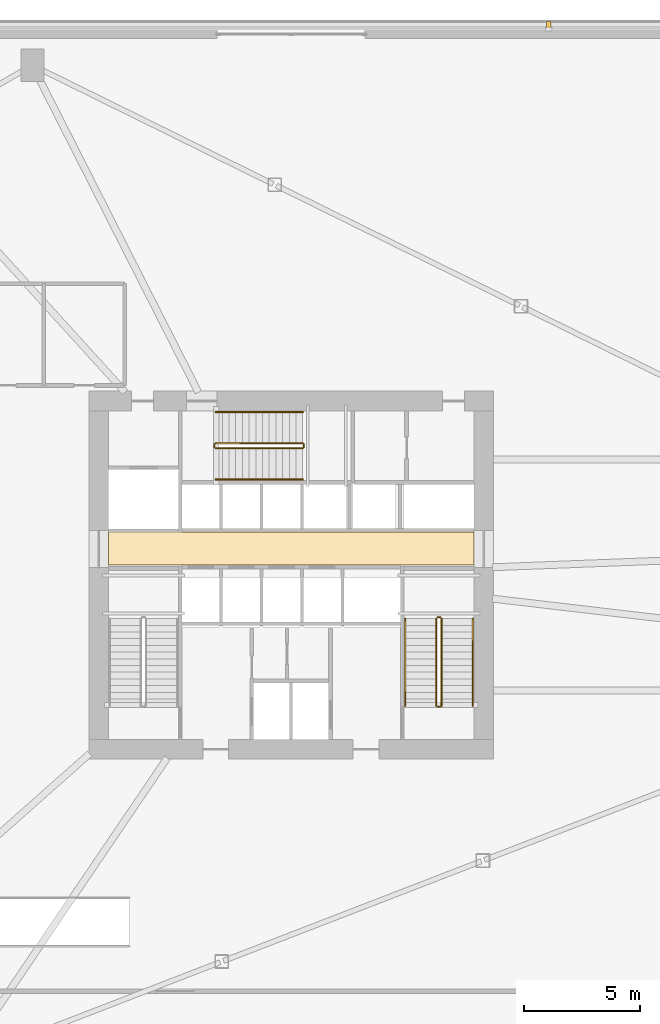
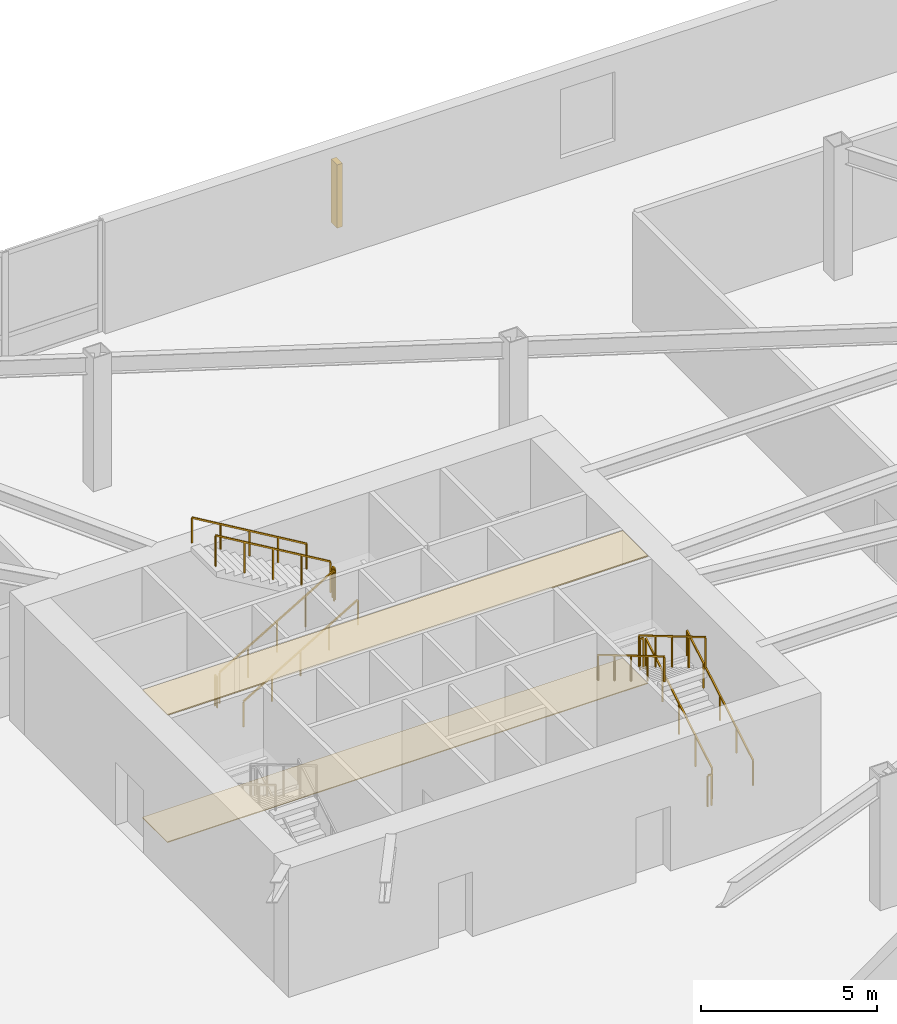
# One storey, part 13 of 14: 12 railings, 2 coverings, 1 shading device.
"""IFC4 building model written with IfcOpenShell, lengths in metres."""

from ifc_helpers import new_model, si_unit, direction, frame, origin, origin_2d, place, context, subcontext, project, spatial, polyline, rectangle, outline, extrude, source, transform, mapped, material, layer, layer_set, type_object, element, save


model = new_model("IFC4")

# Units and contexts
model_context = context("Model", 3, precision=1e-05, world=origin(), true_north=direction((0.0, 1.0)))
body_context = subcontext(model_context, "Body", "Model", "MODEL_VIEW")
ifc_project = project(units=[si_unit("LENGTHUNIT", "METRE"), si_unit("AREAUNIT", "SQUARE_METRE"), si_unit("VOLUMEUNIT", "CUBIC_METRE"), si_unit("PLANEANGLEUNIT", "RADIAN"), si_unit("MASSUNIT", "GRAM", prefix="KILO")], contexts=[model_context])

# Site, building, storey
site_placement = place(None, origin())
site = spatial("IfcSite", under=ifc_project, at=site_placement, CompositionType="ELEMENT")
building_placement = place(site_placement, origin())
building = spatial("IfcBuilding", under=site, at=building_placement, Name="Olszyna Solenne Hotel", CompositionType="ELEMENT")
storey_placement = place(building_placement, frame((0.0, 0.0, 5.39990234375)))
storey = spatial("IfcBuildingStorey", under=building, at=storey_placement, Name="L01", CompositionType="ELEMENT", Elevation=5.39990234375)

# Coverings
ifc_material_1 = material(Name="Mineral wool acoustic ceiling")
ifc_layer_1 = layer(ifc_material_1, 0.0400390625, Name="Mineral wool acoustic ceiling")
ifc_layer_set_1 = layer_set([ifc_layer_1], Name="Mineral wool acoustic ceiling")
covering_type_1 = type_object("IfcCoveringType", Name="CL-AC1", PredefinedType="CEILING", material=ifc_layer_set_1)
covering_1_placement = place(storey_placement, frame((0.0, 0.0, 4.420166015625)))
element("IfcCovering", 1, at=covering_1_placement, inside=storey, type_object=covering_type_1, Name="Lift lobby acoustic tile ceiling CL-L01-01", PredefinedType="CEILING", context=body_context, shape_type="SweptSolid", body=[
    extrude(outline(polyline([(30.10009765625, 27.030029296875), (45.89990234375, 27.030029296875), (45.89990234375, 28.4599609375), (30.10009765625, 28.4599609375), (30.10009765625, 27.030029296875)])), origin(), (0.0, 0.0, 1.0), 0.0400390625),
])
ifc_material_2 = material(Name="Ceramic floor tile")
ifc_layer_2 = layer(ifc_material_2, 0.030029296875, Name="Ceramic floor tile")
ifc_layer_set_2 = layer_set([ifc_layer_2], Name="Ceramic floor tile")
covering_type_2 = type_object("IfcCoveringType", Name="FL-TL1", PredefinedType="FLOORING", material=ifc_layer_set_2)
covering_2_placement = place(storey_placement, origin())
element("IfcCovering", 2, at=covering_2_placement, inside=storey, type_object=covering_type_2, Name="Lift lobby stoneware floor finish FLR-L01-01", PredefinedType="FLOORING", context=body_context, shape_type="SweptSolid", body=[
    extrude(outline(polyline([(30.10009765625, 27.030029296875), (45.89990234375, 27.030029296875), (45.89990234375, 28.4599609375), (30.10009765625, 28.4599609375), (30.10009765625, 27.030029296875)])), origin(), (0.0, 0.0, 1.0), 0.030029296875),
])

# Railings
ifc_material_3 = material(Name="Anodised bronze aluminium", Category="aluminium")
railing_type_1 = type_object("IfcRailingType", Name="GR-110", PredefinedType="BALUSTRADE", material=ifc_material_3)
railing_1_placement = place(storey_placement, frame((44.5, 20.949951171875, 0.171630859375)))
element("IfcRailing", 3, at=railing_1_placement, inside=storey, type_object=railing_type_1, Name="L01 ST2 stair guard 1", PredefinedType="BALUSTRADE", context=body_context, shape_type="SweptSolid", body=[
    extrude(rectangle(XDim=0.048095703125, YDim=0.048095703125, at=origin_2d()), frame((0.0, 0.0, 1.076171875), z_axis=(0.0, 0.860848830602, 0.508860777473), x_axis=(-1.0, 0.0, 0.0)), (0.0, 0.0, 1.0), 4.37939453125),
    extrude(rectangle(XDim=0.0419921875, YDim=0.0419921875, at=origin_2d()), origin(), (0.0, 0.0, 1.0), 1.052001953125),
    extrude(rectangle(XDim=0.0419921875, YDim=0.0419921875, at=origin_2d()), frame((0.0, 0.9423828125, 0.55712890625)), (0.0, 0.0, 1.0), 1.052001953125),
    extrude(rectangle(XDim=0.0419921875, YDim=0.0419921875, at=origin_2d()), frame((0.0, 1.885009765625, 1.1142578125)), (0.0, 0.0, 1.0), 1.052001953125),
    extrude(rectangle(XDim=0.0419921875, YDim=0.0419921875, at=origin_2d()), frame((0.0, 2.82763671875, 1.67138671875)), (0.0, 0.0, 1.0), 1.052001953125),
    extrude(rectangle(XDim=0.0419921875, YDim=0.0419921875, at=origin_2d()), frame((0.0, 3.77001953125, 2.228515625)), (0.0, 0.0, 1.0), 1.052001953125),
])
railing_2_placement = place(storey_placement, frame((44.449951171875, 24.77001953125, 2.400146484375)))
element("IfcRailing", 4, at=railing_2_placement, inside=storey, type_object=railing_type_1, Name="L01 ST2 stair guard 2", PredefinedType="BALUSTRADE", context=body_context, shape_type="SweptSolid", body=[
    extrude(rectangle(XDim=0.048095703125, YDim=0.048095703125, at=origin_2d()), frame((0.0, 0.0, 1.076171875), z_axis=(-1.0, 0.0, 0.0), x_axis=(0.0, -1.0, 0.0)), (0.0, 0.0, 1.0), 0.119873046875),
    extrude(rectangle(XDim=0.0419921875, YDim=0.0419921875, at=origin_2d()), origin(), (0.0, 0.0, 1.0), 1.052001953125),
    extrude(rectangle(XDim=0.0419921875, YDim=0.0419921875, at=origin_2d()), frame((-0.119873046875, 0.0, 0.0)), (0.0, 0.0, 1.0), 1.052001953125),
])
railing_3_placement = place(storey_placement, frame((44.280029296875, 24.719970703125, 2.571533203125)))
element("IfcRailing", 5, at=railing_3_placement, inside=storey, type_object=railing_type_1, Name="L01 ST2 stair guard 3", PredefinedType="BALUSTRADE", context=body_context, shape_type="SweptSolid", body=[
    extrude(rectangle(XDim=0.048095703125, YDim=0.048095703125, at=origin_2d()), frame((0.0, 0.0, 1.076171875), z_axis=(0.0, -0.860848830602, 0.508860777473), x_axis=(1.0, 0.0, 0.0)), (0.0, 0.0, 1.0), 4.37939453125),
    extrude(rectangle(XDim=0.0419921875, YDim=0.0419921875, at=origin_2d()), origin(), (0.0, 0.0, 1.0), 1.052001953125),
    extrude(rectangle(XDim=0.0419921875, YDim=0.0419921875, at=origin_2d()), frame((0.0, -0.9423828125, 0.55712890625)), (0.0, 0.0, 1.0), 1.052001953125),
    extrude(rectangle(XDim=0.0419921875, YDim=0.0419921875, at=origin_2d()), frame((0.0, -1.885009765625, 1.1142578125)), (0.0, 0.0, 1.0), 1.052001953125),
    extrude(rectangle(XDim=0.0419921875, YDim=0.0419921875, at=origin_2d()), frame((0.0, -2.82763671875, 1.67138671875)), (0.0, 0.0, 1.0), 1.052001953125),
    extrude(rectangle(XDim=0.0419921875, YDim=0.0419921875, at=origin_2d()), frame((0.0, -3.77001953125, 2.228515625)), (0.0, 0.0, 1.0), 1.052001953125),
])
railing_4_placement = place(storey_placement, frame((44.449951171875, 20.89990234375, 0.0)))
element("IfcRailing", 6, at=railing_4_placement, inside=storey, type_object=railing_type_1, Name="L01 ST2 stair guard 4", PredefinedType="BALUSTRADE", context=body_context, shape_type="SweptSolid", body=[
    extrude(rectangle(XDim=0.048095703125, YDim=0.048095703125, at=origin_2d()), frame((0.0, 0.0, 1.076171875), z_axis=(-1.0, 0.0, 0.0), x_axis=(0.0, -1.0, 0.0)), (0.0, 0.0, 1.0), 0.119873046875),
    extrude(rectangle(XDim=0.0419921875, YDim=0.0419921875, at=origin_2d()), origin(), (0.0, 0.0, 1.0), 1.052001953125),
    extrude(rectangle(XDim=0.0419921875, YDim=0.0419921875, at=origin_2d()), frame((-0.119873046875, 0.0, 0.0)), (0.0, 0.0, 1.0), 1.052001953125),
])
railing_5_placement = place(storey_placement, frame((34.72998046875, 32.080078125, 0.171630859375)))
element("IfcRailing", 7, at=railing_5_placement, inside=storey, type_object=railing_type_1, Name="L01 ST3 stair guard 1", PredefinedType="BALUSTRADE", context=body_context, shape_type="SweptSolid", body=[
    extrude(rectangle(XDim=0.048095703125, YDim=0.048095703125, at=origin_2d()), frame((0.0, 0.0, 1.076171875), z_axis=(0.860848830602, 0.0, 0.508860777473), x_axis=(0.0, 1.0, 0.0)), (0.0, 0.0, 1.0), 4.37939453125),
    extrude(rectangle(XDim=0.0419921875, YDim=0.0419921875, at=origin_2d()), origin(), (0.0, 0.0, 1.0), 1.052001953125),
    extrude(rectangle(XDim=0.0419921875, YDim=0.0419921875, at=origin_2d()), frame((0.9423828125, 0.0, 0.55712890625)), (0.0, 0.0, 1.0), 1.052001953125),
    extrude(rectangle(XDim=0.0419921875, YDim=0.0419921875, at=origin_2d()), frame((1.885009765625, 0.0, 1.1142578125)), (0.0, 0.0, 1.0), 1.052001953125),
    extrude(rectangle(XDim=0.0419921875, YDim=0.0419921875, at=origin_2d()), frame((2.82763671875, 0.0, 1.67138671875)), (0.0, 0.0, 1.0), 1.052001953125),
    extrude(rectangle(XDim=0.0419921875, YDim=0.0419921875, at=origin_2d()), frame((3.77001953125, 0.0, 2.228515625)), (0.0, 0.0, 1.0), 1.052001953125),
])
railing_6_placement = place(storey_placement, frame((38.550048828125, 32.1298828125, 2.400146484375)))
element("IfcRailing", 8, at=railing_6_placement, inside=storey, type_object=railing_type_1, Name="L01 ST3 stair guard 2", PredefinedType="BALUSTRADE", context=body_context, shape_type="SweptSolid", body=[
    extrude(rectangle(XDim=0.048095703125, YDim=0.048095703125, at=origin_2d()), frame((0.0, 0.0, 1.076171875), z_axis=(0.0, 1.0, 0.0), x_axis=(-1.0, 0.0, 0.0)), (0.0, 0.0, 1.0), 0.1201171875),
    extrude(rectangle(XDim=0.0419921875, YDim=0.0419921875, at=origin_2d()), origin(), (0.0, 0.0, 1.0), 1.052001953125),
    extrude(rectangle(XDim=0.0419921875, YDim=0.0419921875, at=origin_2d()), frame((0.0, 0.1201171875, 0.0)), (0.0, 0.0, 1.0), 1.052001953125),
])
railing_7_placement = place(storey_placement, frame((38.5, 32.300048828125, 2.571533203125)))
element("IfcRailing", 9, at=railing_7_placement, inside=storey, type_object=railing_type_1, Name="L01 ST3 stair guard 3", PredefinedType="BALUSTRADE", context=body_context, shape_type="SweptSolid", body=[
    extrude(rectangle(XDim=0.048095703125, YDim=0.048095703125, at=origin_2d()), frame((0.0, 0.0, 1.076171875), z_axis=(-0.860848830602, 0.0, 0.508860777473), x_axis=(0.0, -1.0, 0.0)), (0.0, 0.0, 1.0), 4.37939453125),
    extrude(rectangle(XDim=0.0419921875, YDim=0.0419921875, at=origin_2d()), origin(), (0.0, 0.0, 1.0), 1.052001953125),
    extrude(rectangle(XDim=0.0419921875, YDim=0.0419921875, at=origin_2d()), frame((-0.9423828125, 0.0, 0.55712890625)), (0.0, 0.0, 1.0), 1.052001953125),
    extrude(rectangle(XDim=0.0419921875, YDim=0.0419921875, at=origin_2d()), frame((-1.885009765625, 0.0, 1.1142578125)), (0.0, 0.0, 1.0), 1.052001953125),
    extrude(rectangle(XDim=0.0419921875, YDim=0.0419921875, at=origin_2d()), frame((-2.82763671875, 0.0, 1.67138671875)), (0.0, 0.0, 1.0), 1.052001953125),
    extrude(rectangle(XDim=0.0419921875, YDim=0.0419921875, at=origin_2d()), frame((-3.77001953125, 0.0, 2.228515625)), (0.0, 0.0, 1.0), 1.052001953125),
])
railing_8_placement = place(storey_placement, frame((34.679931640625, 32.1298828125, 0.0)))
element("IfcRailing", 10, at=railing_8_placement, inside=storey, type_object=railing_type_1, Name="L01 ST3 stair guard 4", PredefinedType="BALUSTRADE", context=body_context, shape_type="SweptSolid", body=[
    extrude(rectangle(XDim=0.048095703125, YDim=0.048095703125, at=origin_2d()), frame((0.0, 0.0, 1.076171875), z_axis=(0.0, 1.0, 0.0), x_axis=(-1.0, 0.0, 0.0)), (0.0, 0.0, 1.0), 0.1201171875),
    extrude(rectangle(XDim=0.0419921875, YDim=0.0419921875, at=origin_2d()), origin(), (0.0, 0.0, 1.0), 1.052001953125),
    extrude(rectangle(XDim=0.0419921875, YDim=0.0419921875, at=origin_2d()), frame((0.0, 0.1201171875, 0.0)), (0.0, 0.0, 1.0), 1.052001953125),
])
ifc_material_4 = material(Name="Steel S355J2", Category="steel")
railing_type_2 = type_object("IfcRailingType", Name="HR-090", PredefinedType="HANDRAIL", material=ifc_material_4)
railing_9_placement = place(storey_placement, frame((45.85009765625, 20.949951171875, 0.171630859375)))
element("IfcRailing", 11, at=railing_9_placement, inside=storey, type_object=railing_type_2, Name="L01 ST2 stair handrail 1", PredefinedType="HANDRAIL", context=body_context, shape_type="SweptSolid", body=[
    extrude(rectangle(XDim=0.048095703125, YDim=0.048095703125, at=origin_2d()), frame((0.0, 0.0, 0.8759765625), z_axis=(0.0, 0.860848830602, 0.508860777473), x_axis=(-1.0, 0.0, 0.0)), (0.0, 0.0, 1.0), 4.37939453125),
    extrude(rectangle(XDim=0.0419921875, YDim=0.0419921875, at=origin_2d()), origin(), (0.0, 0.0, 1.0), 0.851806640625),
    extrude(rectangle(XDim=0.0419921875, YDim=0.0419921875, at=origin_2d()), frame((0.0, 0.9423828125, 0.55712890625)), (0.0, 0.0, 1.0), 0.851806640625),
    extrude(rectangle(XDim=0.0419921875, YDim=0.0419921875, at=origin_2d()), frame((0.0, 1.885009765625, 1.1142578125)), (0.0, 0.0, 1.0), 0.851806640625),
    extrude(rectangle(XDim=0.0419921875, YDim=0.0419921875, at=origin_2d()), frame((0.0, 2.82763671875, 1.67138671875)), (0.0, 0.0, 1.0), 0.851806640625),
    extrude(rectangle(XDim=0.0419921875, YDim=0.0419921875, at=origin_2d()), frame((0.0, 3.77001953125, 2.228515625)), (0.0, 0.0, 1.0), 0.851806640625),
])
railing_10_placement = place(storey_placement, frame((42.929931640625, 24.719970703125, 2.571533203125)))
element("IfcRailing", 12, at=railing_10_placement, inside=storey, type_object=railing_type_2, Name="L01 ST2 stair handrail 2", PredefinedType="HANDRAIL", context=body_context, shape_type="SweptSolid", body=[
    extrude(rectangle(XDim=0.048095703125, YDim=0.048095703125, at=origin_2d()), frame((0.0, 0.0, 0.8759765625), z_axis=(0.0, -0.860848830602, 0.508860777473), x_axis=(1.0, 0.0, 0.0)), (0.0, 0.0, 1.0), 4.37939453125),
    extrude(rectangle(XDim=0.0419921875, YDim=0.0419921875, at=origin_2d()), origin(), (0.0, 0.0, 1.0), 0.851806640625),
    extrude(rectangle(XDim=0.0419921875, YDim=0.0419921875, at=origin_2d()), frame((0.0, -0.9423828125, 0.55712890625)), (0.0, 0.0, 1.0), 0.851806640625),
    extrude(rectangle(XDim=0.0419921875, YDim=0.0419921875, at=origin_2d()), frame((0.0, -1.885009765625, 1.1142578125)), (0.0, 0.0, 1.0), 0.851806640625),
    extrude(rectangle(XDim=0.0419921875, YDim=0.0419921875, at=origin_2d()), frame((0.0, -2.82763671875, 1.67138671875)), (0.0, 0.0, 1.0), 0.851806640625),
    extrude(rectangle(XDim=0.0419921875, YDim=0.0419921875, at=origin_2d()), frame((0.0, -3.77001953125, 2.228515625)), (0.0, 0.0, 1.0), 0.851806640625),
])
railing_11_placement = place(storey_placement, frame((34.72998046875, 30.72998046875, 0.171630859375)))
element("IfcRailing", 13, at=railing_11_placement, inside=storey, type_object=railing_type_2, Name="L01 ST3 stair handrail 1", PredefinedType="HANDRAIL", context=body_context, shape_type="SweptSolid", body=[
    extrude(rectangle(XDim=0.048095703125, YDim=0.048095703125, at=origin_2d()), frame((0.0, 0.0, 0.8759765625), z_axis=(0.860848830602, 0.0, 0.508860777473), x_axis=(0.0, 1.0, 0.0)), (0.0, 0.0, 1.0), 4.37939453125),
    extrude(rectangle(XDim=0.0419921875, YDim=0.0419921875, at=origin_2d()), origin(), (0.0, 0.0, 1.0), 0.851806640625),
    extrude(rectangle(XDim=0.0419921875, YDim=0.0419921875, at=origin_2d()), frame((0.9423828125, 0.0, 0.55712890625)), (0.0, 0.0, 1.0), 0.851806640625),
    extrude(rectangle(XDim=0.0419921875, YDim=0.0419921875, at=origin_2d()), frame((1.885009765625, 0.0, 1.1142578125)), (0.0, 0.0, 1.0), 0.851806640625),
    extrude(rectangle(XDim=0.0419921875, YDim=0.0419921875, at=origin_2d()), frame((2.82763671875, 0.0, 1.67138671875)), (0.0, 0.0, 1.0), 0.851806640625),
    extrude(rectangle(XDim=0.0419921875, YDim=0.0419921875, at=origin_2d()), frame((3.77001953125, 0.0, 2.228515625)), (0.0, 0.0, 1.0), 0.851806640625),
])
railing_12_placement = place(storey_placement, frame((38.5, 33.64990234375, 2.571533203125)))
element("IfcRailing", 14, at=railing_12_placement, inside=storey, type_object=railing_type_2, Name="L01 ST3 stair handrail 2", PredefinedType="HANDRAIL", context=body_context, shape_type="SweptSolid", body=[
    extrude(rectangle(XDim=0.048095703125, YDim=0.048095703125, at=origin_2d()), frame((0.0, 0.0, 0.8759765625), z_axis=(-0.860848830602, 0.0, 0.508860777473), x_axis=(0.0, -1.0, 0.0)), (0.0, 0.0, 1.0), 4.37939453125),
    extrude(rectangle(XDim=0.0419921875, YDim=0.0419921875, at=origin_2d()), origin(), (0.0, 0.0, 1.0), 0.851806640625),
    extrude(rectangle(XDim=0.0419921875, YDim=0.0419921875, at=origin_2d()), frame((-0.9423828125, 0.0, 0.55712890625)), (0.0, 0.0, 1.0), 0.851806640625),
    extrude(rectangle(XDim=0.0419921875, YDim=0.0419921875, at=origin_2d()), frame((-1.885009765625, 0.0, 1.1142578125)), (0.0, 0.0, 1.0), 0.851806640625),
    extrude(rectangle(XDim=0.0419921875, YDim=0.0419921875, at=origin_2d()), frame((-2.82763671875, 0.0, 1.67138671875)), (0.0, 0.0, 1.0), 0.851806640625),
    extrude(rectangle(XDim=0.0419921875, YDim=0.0419921875, at=origin_2d()), frame((-3.77001953125, 0.0, 2.228515625)), (0.0, 0.0, 1.0), 0.851806640625),
])

# Shading device
ifc_material_5 = material(Name="Terracotta cladding", Category="masonry")
shading_device_type = type_object("IfcShadingDeviceType", Name="SH-FN1", PredefinedType="USERDEFINED", material=ifc_material_5)
shared_shape = source(origin(), body_context, "Body", "SweptSolid", [
    extrude(rectangle(XDim=0.179931640625, YDim=0.35009765625, at=origin_2d()), origin(), (0.0, 0.0, 1.0), 2.199951171875),
])
shading_device_placement = place(storey_placement, frame((49.137451171875, 50.35009765625, 0.7001953125), z_axis=(0.0, 0.0, 1.0), x_axis=(1.0, 0.0, 0.0)))
element("IfcShadingDevice", 15, at=shading_device_placement, inside=storey, type_object=shading_device_type, Name="Vertical terracotta facade fin FN-L01-NE", ObjectType="FIN", PredefinedType="USERDEFINED", context=body_context, shape_type="MappedRepresentation", body=[
    mapped(shared_shape, transform((0.0, 0.0, 0.0), x_axis=(1.0, 0.0, 0.0), y_axis=(0.0, 1.0, 0.0), z_axis=(0.0, 0.0, 1.0), scale=1.0)),
])

save(model, "model.ifc")
